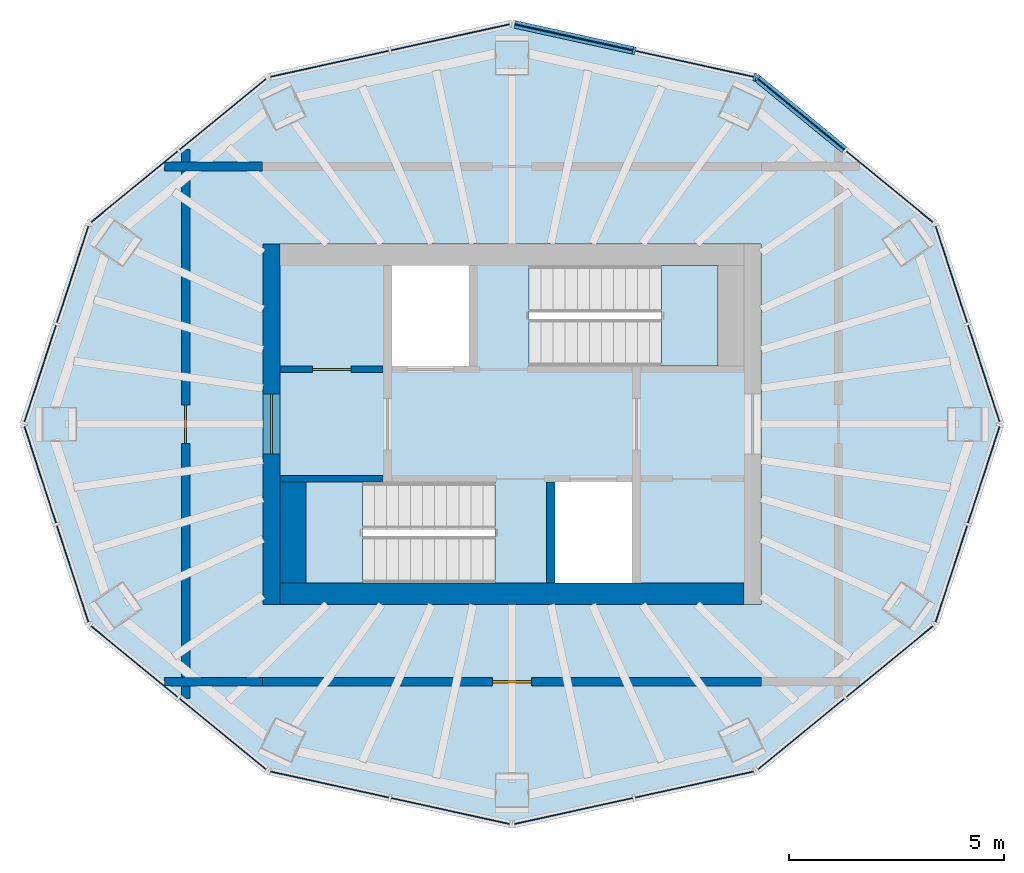
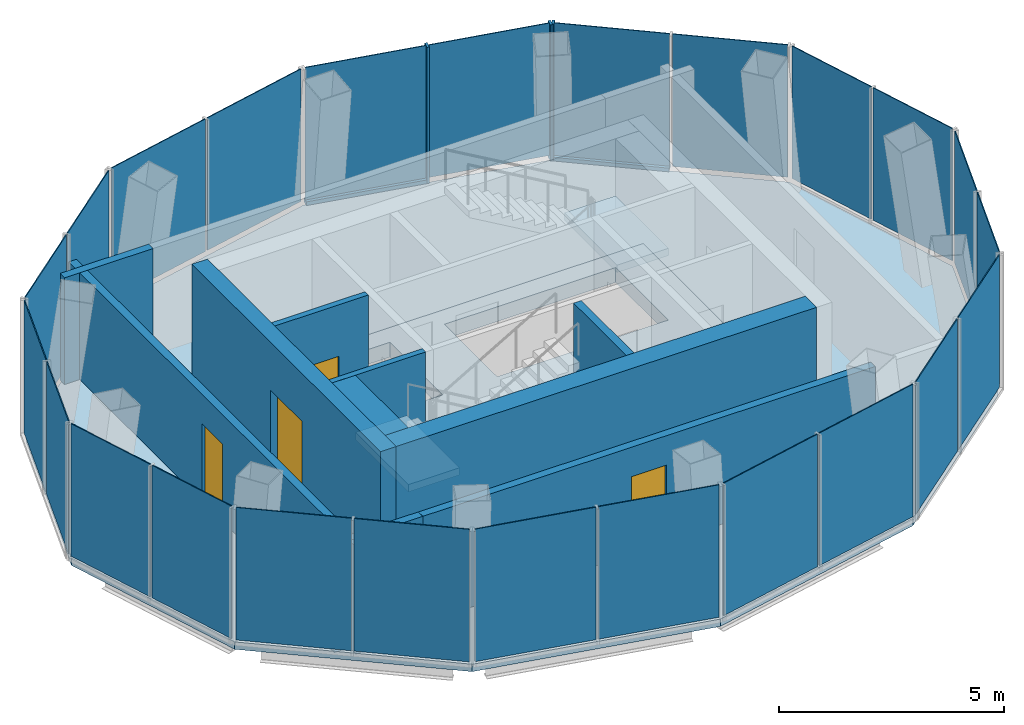
# One storey, part 3 of 5: 24 plates, 10 walls, 5 members, 4 doors, 4 slabs, 4 openings, 14 elements without a shape of their own.
"""IFC4 building model written with IfcOpenShell, lengths in metres."""

from ifc_helpers import new_model, si_unit, direction, frame, frame_2d, origin, origin_2d, place, context, subcontext, project, spatial, polyline, rectangle, outline, extrude, material, layer, layer_set, material_profile, profile_set, type_object, element, fill, aggregate, save


model = new_model("IFC4")

# Units and contexts
model_context = context("Model", 3, precision=1e-05, world=origin(), true_north=direction((0.0, 1.0)))
body_context = subcontext(model_context, "Body", "Model", "MODEL_VIEW")
ifc_project = project(units=[si_unit("LENGTHUNIT", "METRE"), si_unit("AREAUNIT", "SQUARE_METRE"), si_unit("VOLUMEUNIT", "CUBIC_METRE"), si_unit("PLANEANGLEUNIT", "RADIAN"), si_unit("MASSUNIT", "GRAM", prefix="KILO")], contexts=[model_context])

# Site, building, storey
site_placement = place(None, origin())
site = spatial("IfcSite", under=ifc_project, at=site_placement, CompositionType="ELEMENT")
building_placement = place(site_placement, origin())
building = spatial("IfcBuilding", under=site, at=building_placement, Name="Siaravel Broadcast Tower", CompositionType="ELEMENT")
storey_placement = place(building_placement, frame((0.0, 0.0, 284.300048828125)))
storey = spatial("IfcBuildingStorey", under=building, at=storey_placement, Name="L69", CompositionType="ELEMENT", Elevation=284.300048828125)

# Curtain wall, member
ifc_material_1 = material(Name="Aluminium 6063-T6", Category="aluminium")
ifc_layer_1 = layer(ifc_material_1, 0.179931640625)
ifc_layer_set_1 = layer_set([ifc_layer_1], Name="Aluminium 6063-T6")
curtain_wall_type = type_object("IfcCurtainWallType", Name="Crown glass facet wall", PredefinedType="NOTDEFINED", material=ifc_layer_set_1)
curtain_wall_1_placement = place(storey_placement, origin())
curtain_wall_1 = element("IfcCurtainWall", 1, at=curtain_wall_1_placement, inside=storey, type_object=curtain_wall_type, Name="L69 Crown glass facet wall 02", PredefinedType="NOTDEFINED")
ifc_material_profile_1 = material_profile(ifc_material_1, rectangle(XDim=0.179931640625, YDim=0.06005859375, at=origin_2d()))
ifc_profile_set_1 = profile_set([ifc_material_profile_1], Name="Aluminium 6063-T6")
member_type_1 = type_object("IfcMemberType", Name="CW-CR mullion", PredefinedType="MULLION", material=ifc_profile_set_1)
member_1_placement = place(storey_placement, frame((5.70556640625, 8.057861328125, 0.0), z_axis=(0.0, 0.0, 1.0), x_axis=(-0.633717624, -0.77356446, 0.0)))
member_1 = element("IfcMember", 2, at=member_1_placement, type_object=member_type_1, Name="CW-CR mullion 3", PredefinedType="MULLION", context=body_context, shape_type="SweptSolid", body=[
    extrude(rectangle(XDim=0.179931640625, YDim=0.06005859375, at=origin_2d()), origin(), (0.0, 0.0, 1.0), 3.699951171875),
])

# Curtain wall, members
curtain_wall_2_placement = place(storey_placement, origin())
curtain_wall_2 = element("IfcCurtainWall", 3, at=curtain_wall_2_placement, inside=storey, type_object=curtain_wall_type, Name="L69 Crown glass facet wall 03", PredefinedType="NOTDEFINED")
member_2_placement = place(storey_placement, frame((5.653076171875, 8.083251953125, 0.0), z_axis=(0.0, 0.0, 1.0), x_axis=(-0.214396093, -0.976746802, 0.0)))
member_2 = element("IfcMember", 4, at=member_2_placement, type_object=member_type_1, Name="CW-CR mullion 1", PredefinedType="MULLION", context=body_context, shape_type="SweptSolid", body=[
    extrude(rectangle(XDim=0.179931640625, YDim=0.06005859375, at=origin_2d()), origin(), (0.0, 0.0, 1.0), 3.699951171875),
])
member_3_placement = place(storey_placement, frame((2.84130859375, 8.700439453125, 0.0), z_axis=(0.0, 0.0, 1.0), x_axis=(-0.214396093, -0.976746802, 0.0)))
member_3 = element("IfcMember", 5, at=member_3_placement, type_object=member_type_1, Name="CW-CR mullion 2", PredefinedType="MULLION", context=body_context, shape_type="SweptSolid", body=[
    extrude(rectangle(XDim=0.179931640625, YDim=0.06005859375, at=origin_2d()), origin(), (0.0, 0.0, 1.0), 3.699951171875),
])

# Member
ifc_material_profile_2 = material_profile(ifc_material_1, rectangle(XDim=0.179931640625, YDim=0.10009765625, at=origin_2d()))
ifc_profile_set_2 = profile_set([ifc_material_profile_2], Name="Aluminium 6063-T6")
member_type_2 = type_object("IfcMemberType", Name="CW-CR transom", PredefinedType="USERDEFINED", material=ifc_profile_set_2)
member_4_placement = place(storey_placement, frame((7.7412109375, 6.390380859375, 0.050048828125), z_axis=(-0.773601757, 0.633672093, 0.0), x_axis=(-0.633672093, -0.773601757, 0.0)))
member_4 = element("IfcMember", 6, at=member_4_placement, type_object=member_type_2, Name="CW-CR transom 2", ObjectType="TRANSOM", PredefinedType="USERDEFINED", context=body_context, shape_type="SweptSolid", body=[
    extrude(rectangle(XDim=0.179931640625, YDim=0.10009765625, at=origin_2d()), origin(), (0.0, 0.0, 1.0), 2.601318359375),
])

member_5_placement = place(storey_placement, frame((2.81201171875, 8.706787109375, 0.050048828125), z_axis=(-0.97673815, 0.214435508, 0.0), x_axis=(-0.214435508, -0.97673815, 0.0)))
member_5 = element("IfcMember", 7, at=member_5_placement, type_object=member_type_2, Name="CW-CR transom 2", ObjectType="TRANSOM", PredefinedType="USERDEFINED", context=body_context, shape_type="SweptSolid", body=[
    extrude(rectangle(XDim=0.179931640625, YDim=0.10009765625, at=origin_2d()), origin(), (0.0, 0.0, 1.0), 2.819091796875),
])

# Curtain wall, plates
curtain_wall_3_placement = place(storey_placement, origin())
curtain_wall_3 = element("IfcCurtainWall", 8, at=curtain_wall_3_placement, inside=storey, type_object=curtain_wall_type, Name="L69 Crown glass facet wall 01", PredefinedType="NOTDEFINED")
ifc_material_2 = material(Name="Low-iron laminated glass", Category="glass")
ifc_layer_2 = layer(ifc_material_2, 0.02392578125)
ifc_layer_set_2 = layer_set([ifc_layer_2], Name="Low-iron laminated glass")
plate_type = type_object("IfcPlateType", Name="CW-CR glass panel", PredefinedType="CURTAIN_PANEL", material=ifc_layer_set_2)
plate_1_placement = place(storey_placement, frame((10.98583984375, 1.1806640625, 0.099853515625), z_axis=(0.0, 0.0, 1.0), x_axis=(-0.310854701, 0.950457445, 0.0)))
plate_1 = element("IfcPlate", 9, at=plate_1_placement, type_object=plate_type, Name="CW-CR glass panel", PredefinedType="CURTAIN_PANEL", context=body_context, shape_type="SweptSolid", body=[
    extrude(rectangle(XDim=2.364501953125, YDim=0.02392578125, at=origin_2d()), origin(), (0.0, 0.0, 1.0), 3.60009765625),
])
plate_2_placement = place(storey_placement, frame((10.232421875, 3.485107421875, 0.099853515625), z_axis=(0.0, 0.0, 1.0), x_axis=(-0.310854701, 0.950457445, 0.0)))
plate_2 = element("IfcPlate", 10, at=plate_2_placement, type_object=plate_type, Name="CW-CR glass panel", PredefinedType="CURTAIN_PANEL", context=body_context, shape_type="SweptSolid", body=[
    extrude(rectangle(XDim=2.364501953125, YDim=0.02392578125, at=origin_2d()), origin(), (0.0, 0.0, 1.0), 3.60009765625),
])
aggregate(curtain_wall_3, [plate_1, plate_2])

# Plate
plate_3_placement = place(storey_placement, frame((8.793701171875, 5.528076171875, 0.099853515625), z_axis=(0.0, 0.0, 1.0), x_axis=(-0.77356446, 0.633717624, 0.0)))
plate_3 = element("IfcPlate", 11, at=plate_3_placement, type_object=plate_type, Name="CW-CR glass panel", PredefinedType="CURTAIN_PANEL", context=body_context, shape_type="SweptSolid", body=[
    extrude(rectangle(XDim=2.601318359375, YDim=0.02392578125, at=origin_2d()), origin(), (0.0, 0.0, 1.0), 3.60009765625),
])

plate_4_placement = place(storey_placement, frame((6.73486328125, 7.214599609375, 0.099853515625), z_axis=(0.0, 0.0, 1.0), x_axis=(-0.77356446, 0.633717624, 0.0)))
plate_4 = element("IfcPlate", 12, at=plate_4_placement, type_object=plate_type, Name="CW-CR glass panel", PredefinedType="CURTAIN_PANEL", context=body_context, shape_type="SweptSolid", body=[
    extrude(rectangle(XDim=2.601318359375, YDim=0.02392578125, at=origin_2d()), origin(), (0.0, 0.0, 1.0), 3.60009765625),
])

aggregate(curtain_wall_1, [member_1, plate_3, member_4, plate_4])

plate_5_placement = place(storey_placement, frame((4.247314453125, 8.391845703125, 0.099853515625), z_axis=(0.0, 0.0, 1.0), x_axis=(-0.976746802, 0.214396093, 0.0)))
plate_5 = element("IfcPlate", 13, at=plate_5_placement, type_object=plate_type, Name="CW-CR glass panel", PredefinedType="CURTAIN_PANEL", context=body_context, shape_type="SweptSolid", body=[
    extrude(rectangle(XDim=2.81884765625, YDim=0.02392578125, at=origin_2d()), origin(), (0.0, 0.0, 1.0), 3.60009765625),
])

plate_6_placement = place(storey_placement, frame((1.435302734375, 9.009033203125, 0.099853515625), z_axis=(0.0, 0.0, 1.0), x_axis=(-0.976746802, 0.214396093, 0.0)))
plate_6 = element("IfcPlate", 14, at=plate_6_placement, type_object=plate_type, Name="CW-CR glass panel", PredefinedType="CURTAIN_PANEL", context=body_context, shape_type="SweptSolid", body=[
    extrude(rectangle(XDim=2.81884765625, YDim=0.02392578125, at=origin_2d()), origin(), (0.0, 0.0, 1.0), 3.60009765625),
])

aggregate(curtain_wall_2, [member_2, member_3, plate_5, member_5, plate_6])

# Curtain wall, plates
curtain_wall_4_placement = place(storey_placement, origin())
curtain_wall_4 = element("IfcCurtainWall", 15, at=curtain_wall_4_placement, inside=storey, type_object=curtain_wall_type, Name="L69 Crown glass facet wall 04", PredefinedType="NOTDEFINED")
plate_7_placement = place(storey_placement, frame((-1.435302734375, 9.009033203125, 0.099853515625), z_axis=(0.0, 0.0, 1.0), x_axis=(-0.976746802, -0.214396093, 0.0)))
plate_7 = element("IfcPlate", 16, at=plate_7_placement, type_object=plate_type, Name="CW-CR glass panel", PredefinedType="CURTAIN_PANEL", context=body_context, shape_type="SweptSolid", body=[
    extrude(rectangle(XDim=2.81884765625, YDim=0.02392578125, at=origin_2d()), origin(), (0.0, 0.0, 1.0), 3.60009765625),
])
plate_8_placement = place(storey_placement, frame((-4.247314453125, 8.391845703125, 0.099853515625), z_axis=(0.0, 0.0, 1.0), x_axis=(-0.976746802, -0.214396093, 0.0)))
plate_8 = element("IfcPlate", 17, at=plate_8_placement, type_object=plate_type, Name="CW-CR glass panel", PredefinedType="CURTAIN_PANEL", context=body_context, shape_type="SweptSolid", body=[
    extrude(rectangle(XDim=2.81884765625, YDim=0.02392578125, at=origin_2d()), origin(), (0.0, 0.0, 1.0), 3.60009765625),
])
aggregate(curtain_wall_4, [plate_7, plate_8])

curtain_wall_5_placement = place(storey_placement, origin())
curtain_wall_5 = element("IfcCurtainWall", 18, at=curtain_wall_5_placement, inside=storey, type_object=curtain_wall_type, Name="L69 Crown glass facet wall 05", PredefinedType="NOTDEFINED")
plate_9_placement = place(storey_placement, frame((-6.73486328125, 7.214599609375, 0.099853515625), z_axis=(0.0, 0.0, 1.0), x_axis=(-0.77356446, -0.633717624, 0.0)))
plate_9 = element("IfcPlate", 19, at=plate_9_placement, type_object=plate_type, Name="CW-CR glass panel", PredefinedType="CURTAIN_PANEL", context=body_context, shape_type="SweptSolid", body=[
    extrude(rectangle(XDim=2.601318359375, YDim=0.02392578125, at=origin_2d()), origin(), (0.0, 0.0, 1.0), 3.60009765625),
])
plate_10_placement = place(storey_placement, frame((-8.793701171875, 5.528076171875, 0.099853515625), z_axis=(0.0, 0.0, 1.0), x_axis=(-0.77356446, -0.633717624, 0.0)))
plate_10 = element("IfcPlate", 20, at=plate_10_placement, type_object=plate_type, Name="CW-CR glass panel", PredefinedType="CURTAIN_PANEL", context=body_context, shape_type="SweptSolid", body=[
    extrude(rectangle(XDim=2.601318359375, YDim=0.02392578125, at=origin_2d()), origin(), (0.0, 0.0, 1.0), 3.60009765625),
])
aggregate(curtain_wall_5, [plate_9, plate_10])

curtain_wall_6_placement = place(storey_placement, origin())
curtain_wall_6 = element("IfcCurtainWall", 21, at=curtain_wall_6_placement, inside=storey, type_object=curtain_wall_type, Name="L69 Crown glass facet wall 06", PredefinedType="NOTDEFINED")
plate_11_placement = place(storey_placement, frame((-10.232421875, 3.485107421875, 0.099853515625), z_axis=(0.0, 0.0, 1.0), x_axis=(-0.310854701, -0.950457445, 0.0)))
plate_11 = element("IfcPlate", 22, at=plate_11_placement, type_object=plate_type, Name="CW-CR glass panel", PredefinedType="CURTAIN_PANEL", context=body_context, shape_type="SweptSolid", body=[
    extrude(rectangle(XDim=2.364501953125, YDim=0.02392578125, at=origin_2d()), origin(), (0.0, 0.0, 1.0), 3.60009765625),
])
plate_12_placement = place(storey_placement, frame((-10.98583984375, 1.1806640625, 0.099853515625), z_axis=(0.0, 0.0, 1.0), x_axis=(-0.310854701, -0.950457445, 0.0)))
plate_12 = element("IfcPlate", 23, at=plate_12_placement, type_object=plate_type, Name="CW-CR glass panel", PredefinedType="CURTAIN_PANEL", context=body_context, shape_type="SweptSolid", body=[
    extrude(rectangle(XDim=2.364501953125, YDim=0.02392578125, at=origin_2d()), origin(), (0.0, 0.0, 1.0), 3.60009765625),
])
aggregate(curtain_wall_6, [plate_11, plate_12])

curtain_wall_7_placement = place(storey_placement, origin())
curtain_wall_7 = element("IfcCurtainWall", 24, at=curtain_wall_7_placement, inside=storey, type_object=curtain_wall_type, Name="L69 Crown glass facet wall 07", PredefinedType="NOTDEFINED")
plate_13_placement = place(storey_placement, frame((-10.98583984375, -1.1806640625, 0.099853515625), z_axis=(0.0, 0.0, 1.0), x_axis=(0.310854701, -0.950457445, 0.0)))
plate_13 = element("IfcPlate", 25, at=plate_13_placement, type_object=plate_type, Name="CW-CR glass panel", PredefinedType="CURTAIN_PANEL", context=body_context, shape_type="SweptSolid", body=[
    extrude(rectangle(XDim=2.364501953125, YDim=0.02392578125, at=origin_2d()), origin(), (0.0, 0.0, 1.0), 3.60009765625),
])
plate_14_placement = place(storey_placement, frame((-10.232421875, -3.485107421875, 0.099853515625), z_axis=(0.0, 0.0, 1.0), x_axis=(0.310854701, -0.950457445, 0.0)))
plate_14 = element("IfcPlate", 26, at=plate_14_placement, type_object=plate_type, Name="CW-CR glass panel", PredefinedType="CURTAIN_PANEL", context=body_context, shape_type="SweptSolid", body=[
    extrude(rectangle(XDim=2.364501953125, YDim=0.02392578125, at=origin_2d()), origin(), (0.0, 0.0, 1.0), 3.60009765625),
])
aggregate(curtain_wall_7, [plate_13, plate_14])

curtain_wall_8_placement = place(storey_placement, origin())
curtain_wall_8 = element("IfcCurtainWall", 27, at=curtain_wall_8_placement, inside=storey, type_object=curtain_wall_type, Name="L69 Crown glass facet wall 08", PredefinedType="NOTDEFINED")
plate_15_placement = place(storey_placement, frame((-8.793701171875, -5.528076171875, 0.099853515625), z_axis=(0.0, 0.0, 1.0), x_axis=(0.77356446, -0.633717624, 0.0)))
plate_15 = element("IfcPlate", 28, at=plate_15_placement, type_object=plate_type, Name="CW-CR glass panel", PredefinedType="CURTAIN_PANEL", context=body_context, shape_type="SweptSolid", body=[
    extrude(rectangle(XDim=2.601318359375, YDim=0.02392578125, at=origin_2d()), origin(), (0.0, 0.0, 1.0), 3.60009765625),
])
plate_16_placement = place(storey_placement, frame((-6.73486328125, -7.214599609375, 0.099853515625), z_axis=(0.0, 0.0, 1.0), x_axis=(0.77356446, -0.633717624, 0.0)))
plate_16 = element("IfcPlate", 29, at=plate_16_placement, type_object=plate_type, Name="CW-CR glass panel", PredefinedType="CURTAIN_PANEL", context=body_context, shape_type="SweptSolid", body=[
    extrude(rectangle(XDim=2.601318359375, YDim=0.02392578125, at=origin_2d()), origin(), (0.0, 0.0, 1.0), 3.60009765625),
])
aggregate(curtain_wall_8, [plate_15, plate_16])

curtain_wall_9_placement = place(storey_placement, origin())
curtain_wall_9 = element("IfcCurtainWall", 30, at=curtain_wall_9_placement, inside=storey, type_object=curtain_wall_type, Name="L69 Crown glass facet wall 09", PredefinedType="NOTDEFINED")
plate_17_placement = place(storey_placement, frame((-4.247314453125, -8.391845703125, 0.099853515625), z_axis=(0.0, 0.0, 1.0), x_axis=(0.976746802, -0.214396093, 0.0)))
plate_17 = element("IfcPlate", 31, at=plate_17_placement, type_object=plate_type, Name="CW-CR glass panel", PredefinedType="CURTAIN_PANEL", context=body_context, shape_type="SweptSolid", body=[
    extrude(rectangle(XDim=2.81884765625, YDim=0.02392578125, at=origin_2d()), origin(), (0.0, 0.0, 1.0), 3.60009765625),
])
plate_18_placement = place(storey_placement, frame((-1.435302734375, -9.009033203125, 0.099853515625), z_axis=(0.0, 0.0, 1.0), x_axis=(0.976746802, -0.214396093, 0.0)))
plate_18 = element("IfcPlate", 32, at=plate_18_placement, type_object=plate_type, Name="CW-CR glass panel", PredefinedType="CURTAIN_PANEL", context=body_context, shape_type="SweptSolid", body=[
    extrude(rectangle(XDim=2.81884765625, YDim=0.02392578125, at=origin_2d()), origin(), (0.0, 0.0, 1.0), 3.60009765625),
])
aggregate(curtain_wall_9, [plate_17, plate_18])

curtain_wall_10_placement = place(storey_placement, origin())
curtain_wall_10 = element("IfcCurtainWall", 33, at=curtain_wall_10_placement, inside=storey, type_object=curtain_wall_type, Name="L69 Crown glass facet wall 10", PredefinedType="NOTDEFINED")
plate_19_placement = place(storey_placement, frame((1.435302734375, -9.009033203125, 0.099853515625), z_axis=(0.0, 0.0, 1.0), x_axis=(0.976746802, 0.214396093, 0.0)))
plate_19 = element("IfcPlate", 34, at=plate_19_placement, type_object=plate_type, Name="CW-CR glass panel", PredefinedType="CURTAIN_PANEL", context=body_context, shape_type="SweptSolid", body=[
    extrude(rectangle(XDim=2.81884765625, YDim=0.02392578125, at=origin_2d()), origin(), (0.0, 0.0, 1.0), 3.60009765625),
])
plate_20_placement = place(storey_placement, frame((4.247314453125, -8.391845703125, 0.099853515625), z_axis=(0.0, 0.0, 1.0), x_axis=(0.976746802, 0.214396093, 0.0)))
plate_20 = element("IfcPlate", 35, at=plate_20_placement, type_object=plate_type, Name="CW-CR glass panel", PredefinedType="CURTAIN_PANEL", context=body_context, shape_type="SweptSolid", body=[
    extrude(rectangle(XDim=2.81884765625, YDim=0.02392578125, at=origin_2d()), origin(), (0.0, 0.0, 1.0), 3.60009765625),
])
aggregate(curtain_wall_10, [plate_19, plate_20])

curtain_wall_11_placement = place(storey_placement, origin())
curtain_wall_11 = element("IfcCurtainWall", 36, at=curtain_wall_11_placement, inside=storey, type_object=curtain_wall_type, Name="L69 Crown glass facet wall 11", PredefinedType="NOTDEFINED")
plate_21_placement = place(storey_placement, frame((6.73486328125, -7.214599609375, 0.099853515625), z_axis=(0.0, 0.0, 1.0), x_axis=(0.77356446, 0.633717624, 0.0)))
plate_21 = element("IfcPlate", 37, at=plate_21_placement, type_object=plate_type, Name="CW-CR glass panel", PredefinedType="CURTAIN_PANEL", context=body_context, shape_type="SweptSolid", body=[
    extrude(rectangle(XDim=2.601318359375, YDim=0.02392578125, at=origin_2d()), origin(), (0.0, 0.0, 1.0), 3.60009765625),
])
plate_22_placement = place(storey_placement, frame((8.793701171875, -5.528076171875, 0.099853515625), z_axis=(0.0, 0.0, 1.0), x_axis=(0.77356446, 0.633717624, 0.0)))
plate_22 = element("IfcPlate", 38, at=plate_22_placement, type_object=plate_type, Name="CW-CR glass panel", PredefinedType="CURTAIN_PANEL", context=body_context, shape_type="SweptSolid", body=[
    extrude(rectangle(XDim=2.601318359375, YDim=0.02392578125, at=origin_2d()), origin(), (0.0, 0.0, 1.0), 3.60009765625),
])
aggregate(curtain_wall_11, [plate_21, plate_22])

curtain_wall_12_placement = place(storey_placement, origin())
curtain_wall_12 = element("IfcCurtainWall", 39, at=curtain_wall_12_placement, inside=storey, type_object=curtain_wall_type, Name="L69 Crown glass facet wall 12", PredefinedType="NOTDEFINED")
plate_23_placement = place(storey_placement, frame((10.232421875, -3.485107421875, 0.099853515625), z_axis=(0.0, 0.0, 1.0), x_axis=(0.310854701, 0.950457445, 0.0)))
plate_23 = element("IfcPlate", 40, at=plate_23_placement, type_object=plate_type, Name="CW-CR glass panel", PredefinedType="CURTAIN_PANEL", context=body_context, shape_type="SweptSolid", body=[
    extrude(rectangle(XDim=2.364501953125, YDim=0.02392578125, at=origin_2d()), origin(), (0.0, 0.0, 1.0), 3.60009765625),
])
plate_24_placement = place(storey_placement, frame((10.98583984375, -1.1806640625, 0.099853515625), z_axis=(0.0, 0.0, 1.0), x_axis=(0.310854701, 0.950457445, 0.0)))
plate_24 = element("IfcPlate", 41, at=plate_24_placement, type_object=plate_type, Name="CW-CR glass panel", PredefinedType="CURTAIN_PANEL", context=body_context, shape_type="SweptSolid", body=[
    extrude(rectangle(XDim=2.364501953125, YDim=0.02392578125, at=origin_2d()), origin(), (0.0, 0.0, 1.0), 3.60009765625),
])
aggregate(curtain_wall_12, [plate_23, plate_24])

# Slabs
ifc_material_3 = material(Name="Concrete C40/50", Category="concrete")
ifc_layer_3 = layer(ifc_material_3, 0.39990234375)
ifc_layer_set_3 = layer_set([ifc_layer_3], Name="Concrete C40/50")
slab_type_1 = type_object("IfcSlabType", Name="Core floor slab 400", PredefinedType="FLOOR", material=ifc_layer_set_3)
slab_1_placement = place(storey_placement, frame((0.0, 0.0, -0.400146484375)))
element("IfcSlab", 42, at=slab_1_placement, inside=storey, type_object=slab_type_1, Name="L69 core floor", PredefinedType="FLOOR", context=body_context, shape_type="SweptSolid", body=[
    extrude(outline(polyline([(-5.800048828125, -4.199951171875), (-5.800048828125, 4.199951171875), (5.800048828125, 4.199951171875), (5.800048828125, -4.199951171875), (-5.800048828125, -4.199951171875)]), holes=[polyline([(0.400390625, 3.699462890625), (0.400390625, 1.3505859375), (4.799560546875, 1.3505859375), (4.799560546875, 3.699462890625), (0.400390625, 3.699462890625)]), polyline([(1.0, -3.699951171875), (2.800048828125, -3.699951171875), (2.800048828125, -1.35009765625), (1.0, -1.35009765625), (1.0, -3.699951171875)]), polyline([(-0.400390625, -3.699462890625), (-0.400390625, -1.3505859375), (-4.799560546875, -1.3505859375), (-4.799560546875, -3.699462890625), (-0.400390625, -3.699462890625)]), polyline([(-2.800048828125, 1.35009765625), (-1.0, 1.35009765625), (-1.0, 3.699951171875), (-2.800048828125, 3.699951171875), (-2.800048828125, 1.35009765625)])]), origin(), (0.0, 0.0, 1.0), 0.400146484375),
])
ifc_layer_4 = layer(ifc_material_3, 0.199951171875)
ifc_layer_set_4 = layer_set([ifc_layer_4], Name="Concrete C40/50")
slab_type_2 = type_object("IfcSlabType", Name="SLB-FLOOR-200", PredefinedType="FLOOR", material=ifc_layer_set_4)
slab_2_placement = place(storey_placement, frame((0.0, 0.0, -0.199951171875)))
element("IfcSlab", 43, at=slab_2_placement, inside=storey, type_object=slab_type_2, Name="Floor slab", PredefinedType="FLOOR", context=body_context, shape_type="SweptSolid", body=[
    extrude(outline(polyline([(11.322021484375, 0.0), (9.80517578125, 4.636962890625), (5.6611328125, 8.031494140625), (0.0, 9.274169921875), (-5.660888671875, 8.031494140625), (-9.80517578125, 4.636962890625), (-11.322021484375, 0.0), (-9.80517578125, -4.63720703125), (-5.6611328125, -8.031494140625), (0.0, -9.274169921875), (5.6611328125, -8.031494140625), (9.80517578125, -4.63720703125), (11.322021484375, 0.0)]), holes=[polyline([(-5.800048828125, 4.199951171875), (5.800048828125, 4.199951171875), (5.800048828125, -4.199951171875), (-5.800048828125, -4.199951171875), (-5.800048828125, 4.199951171875)])]), origin(), (0.0, 0.0, 1.0), 0.199951171875),
])

# Stair, slab
stair_type = type_object("IfcStairType", Name="Core exit stair", PredefinedType="HALF_TURN_STAIR", material=ifc_material_3)
stair_1_placement = place(storey_placement, origin())
stair_1 = element("IfcStair", 44, at=stair_1_placement, inside=storey, type_object=stair_type, Name="L69 Exit stair ST-C1", PredefinedType="HALF_TURN_STAIR")
ifc_layer_5 = layer(ifc_material_3, 0.199951171875)
ifc_layer_set_5 = layer_set([ifc_layer_5], Name="Concrete C40/50")
slab_type_3 = type_object("IfcSlabType", Name="Stair landing", PredefinedType="LANDING", material=ifc_layer_set_5)
slab_3_placement = place(storey_placement, frame((0.0, 0.0, 1.75)))
slab_3 = element("IfcSlab", 45, at=slab_3_placement, type_object=slab_type_3, Name="ST-C1 landing 1", PredefinedType="LANDING", context=body_context, shape_type="SweptSolid", body=[
    extrude(outline(polyline([(3.47998046875, 1.35009765625), (4.800048828125, 1.35009765625), (4.800048828125, 3.699951171875), (3.47998046875, 3.699951171875), (3.47998046875, 1.35009765625)])), origin(), (0.0, 0.0, 1.0), 0.199951171875),
])
aggregate(stair_1, [slab_3])

stair_2_placement = place(storey_placement, origin())
stair_2 = element("IfcStair", 46, at=stair_2_placement, inside=storey, type_object=stair_type, Name="L69 Exit stair ST-C2", PredefinedType="HALF_TURN_STAIR")
slab_4_placement = place(storey_placement, frame((0.0, 0.0, 1.75)))
slab_4 = element("IfcSlab", 47, at=slab_4_placement, type_object=slab_type_3, Name="ST-C2 landing 1", PredefinedType="LANDING", context=body_context, shape_type="SweptSolid", body=[
    extrude(outline(polyline([(-3.47998046875, -1.35009765625), (-4.800048828125, -1.35009765625), (-4.800048828125, -3.699951171875), (-3.47998046875, -3.699951171875), (-3.47998046875, -1.35009765625)])), origin(), (0.0, 0.0, 1.0), 0.199951171875),
])
aggregate(stair_2, [slab_4])

# Wall, opening, door
ifc_material_4 = material(Name="Concrete C60/75", Category="concrete")
ifc_layer_6 = layer(ifc_material_4, 0.39990234375)
ifc_layer_set_6 = layer_set([ifc_layer_6], Name="Concrete C60/75")
wall_type_1 = type_object("IfcWallType", Name="Core wall 400", PredefinedType="SHEAR", material=ifc_layer_set_6)
wall_1_placement = place(storey_placement, frame((-5.60009765625, -4.199951171875, 0.0), z_axis=(0.0, 0.0, 1.0), x_axis=(0.0, 1.0, 0.0)))
wall_1 = element("IfcWall", 48, at=wall_1_placement, inside=storey, type_object=wall_type_1, Name="L69 core wall OW", PredefinedType="SHEAR", context=body_context, shape_type="SweptSolid", body=[
    extrude(rectangle(XDim=8.39990234375, YDim=0.39990234375, at=frame_2d((4.199951171875, 0.0))), origin(), (0.0, 0.0, 1.0), 3.5),
])
opening_1_placement = place(wall_1_placement, frame((3.5, 0.0, 0.0)))
opening_1 = element("IfcOpeningElement", 49, at=opening_1_placement, cuts=wall_1, Name="Opening L69-DX-W", PredefinedType="OPENING", context=body_context, shape_type="SweptSolid", body=[
    extrude(rectangle(XDim=1.39990234375, YDim=2.199951171875, at=frame_2d((0.699951171875, 1.10009765625))), frame((0.0, 0.2099609375, 0.0), z_axis=(0.0, -1.0, 0.0), x_axis=(1.0, 0.0, 0.0)), (0.0, 0.0, 1.0), 0.419921875),
])
ifc_material_5 = material(Name="Steel", Category="steel")
door_type_1 = type_object("IfcDoorType", Name="Core exit door 1400", OperationType="DOUBLE_DOOR_SINGLE_SWING", PredefinedType="DOOR", material=ifc_material_5)
door_1_placement = place(opening_1_placement, origin())
door_1 = element("IfcDoor", 50, at=door_1_placement, inside=storey, type_object=door_type_1, Name="L69 door DX-W", OperationType="DOUBLE_DOOR_SINGLE_SWING", OverallHeight=2.199951171875, OverallWidth=1.39990234375, PredefinedType="DOOR", context=body_context, shape_type="SweptSolid", body=[
    extrude(rectangle(XDim=1.39990234375, YDim=2.199951171875, at=frame_2d((0.699951171875, 1.10009765625))), frame((0.0, 0.02490234375, 0.0), z_axis=(0.0, -1.0, 0.0), x_axis=(1.0, 0.0, 0.0)), (0.0, 0.0, 1.0), 0.050048828125),
])
fill(opening_1, door_1)

# Wall
ifc_layer_7 = layer(ifc_material_4, 0.5)
ifc_layer_set_7 = layer_set([ifc_layer_7], Name="Concrete C60/75")
wall_type_2 = type_object("IfcWallType", Name="Core wall 500", PredefinedType="SHEAR", material=ifc_layer_set_7)
wall_2_placement = place(storey_placement, frame((-5.39990234375, -3.949951171875, 0.0), z_axis=(0.0, 0.0, 1.0), x_axis=(1.0, 0.0, 0.0)))
element("IfcWall", 51, at=wall_2_placement, inside=storey, type_object=wall_type_2, Name="L69 core wall OS", PredefinedType="SHEAR", context=body_context, shape_type="SweptSolid", body=[
    extrude(rectangle(XDim=10.7998046875, YDim=0.5, at=frame_2d((5.39990234375, 0.0))), origin(), (0.0, 0.0, 1.0), 3.5),
])

# Wall, opening, door
ifc_material_6 = material(Name="Gypsum board partition", Category="gypsum")
ifc_layer_8 = layer(ifc_material_6, 0.14990234375)
ifc_layer_set_8 = layer_set([ifc_layer_8], Name="Gypsum board partition")
wall_type_3 = type_object("IfcWallType", Name="Corridor wall 150", PredefinedType="PARTITIONING", material=ifc_layer_set_8)
wall_3_placement = place(storey_placement, frame((-5.39990234375, 1.27490234375, 0.0), z_axis=(0.0, 0.0, 1.0), x_axis=(1.0, 0.0, 0.0)))
wall_3 = element("IfcWall", 52, at=wall_3_placement, inside=storey, type_object=wall_type_3, Name="L69 core partition CNW", PredefinedType="PARTITIONING", context=body_context, shape_type="SweptSolid", body=[
    extrude(rectangle(XDim=2.39990234375, YDim=0.14990234375, at=frame_2d((1.199951171875, 0.0))), origin(), (0.0, 0.0, 1.0), 3.5),
])
opening_2_placement = place(wall_3_placement, frame((0.75, 0.0, 0.0)))
opening_2 = element("IfcOpeningElement", 53, at=opening_2_placement, cuts=wall_3, Name="Opening L69-DCNW", PredefinedType="OPENING", context=body_context, shape_type="SweptSolid", body=[
    extrude(rectangle(XDim=0.89990234375, YDim=2.10009765625, at=frame_2d((0.449951171875, 1.050048828125))), frame((0.0, 0.0849609375, 0.0), z_axis=(0.0, -1.0, 0.0), x_axis=(1.0, 0.0, 0.0)), (0.0, 0.0, 1.0), 0.169921875),
])
ifc_material_7 = material(Name="Timber veneer", Category="wood")
door_type_2 = type_object("IfcDoorType", Name="Core room door 900", OperationType="SINGLE_SWING_LEFT", PredefinedType="DOOR", material=ifc_material_7)
door_2_placement = place(opening_2_placement, origin())
door_2 = element("IfcDoor", 54, at=door_2_placement, inside=storey, type_object=door_type_2, Name="L69 door DCNW", OperationType="SINGLE_SWING_LEFT", OverallHeight=2.10009765625, OverallWidth=0.89990234375, PredefinedType="DOOR", context=body_context, shape_type="SweptSolid", body=[
    extrude(rectangle(XDim=0.89990234375, YDim=2.10009765625, at=frame_2d((0.449951171875, 1.050048828125))), frame((0.0, 0.02490234375, 0.0), z_axis=(0.0, -1.0, 0.0), x_axis=(1.0, 0.0, 0.0)), (0.0, 0.0, 1.0), 0.050048828125),
])
fill(opening_2, door_2)

ifc_material_8 = material(Name="Concrete blockwork", Category="masonry")
ifc_layer_9 = layer(ifc_material_8, 0.199951171875)
ifc_layer_set_9 = layer_set([ifc_layer_9], Name="Concrete blockwork")
wall_type_4 = type_object("IfcWallType", Name="Plant room wall 200", PredefinedType="PARTITIONING", material=ifc_layer_set_9)
wall_4_placement = place(storey_placement, frame((-7.60009765625, 6.393310546875, 0.0), z_axis=(0.0, 0.0, 1.0), x_axis=(0.0, -1.0, 0.0)))
wall_4 = element("IfcWall", 55, at=wall_4_placement, inside=storey, type_object=wall_type_4, Name="L69 partition 1", PredefinedType="PARTITIONING", context=body_context, shape_type="SweptSolid", body=[
    extrude(rectangle(XDim=12.78662109375, YDim=0.199951171875, at=frame_2d((6.393310546875, 0.0))), origin(), (0.0, 0.0, 1.0), 2.89990234375),
])
opening_3_placement = place(wall_4_placement, frame((5.943359375, 0.0, 0.0)))
opening_3 = element("IfcOpeningElement", 56, at=opening_3_placement, cuts=wall_4, Name="Opening L69-001", PredefinedType="OPENING", context=body_context, shape_type="SweptSolid", body=[
    extrude(rectangle(XDim=0.89990234375, YDim=2.10009765625, at=frame_2d((0.449951171875, 1.050048828125))), frame((0.0, 0.10986328125, 0.0), z_axis=(0.0, -1.0, 0.0), x_axis=(1.0, 0.0, 0.0)), (0.0, 0.0, 1.0), 0.219970703125),
])
door_type_3 = type_object("IfcDoorType", Name="Plant room door 900", OperationType="SINGLE_SWING_LEFT", PredefinedType="DOOR", material=ifc_material_5)
door_3_placement = place(opening_3_placement, origin())
door_3 = element("IfcDoor", 57, at=door_3_placement, inside=storey, type_object=door_type_3, Name="L69 door to UPS room", OperationType="SINGLE_SWING_LEFT", OverallHeight=2.10009765625, OverallWidth=0.89990234375, PredefinedType="DOOR", context=body_context, shape_type="SweptSolid", body=[
    extrude(rectangle(XDim=0.89990234375, YDim=2.10009765625, at=frame_2d((0.449951171875, 1.050048828125))), frame((0.0, 0.02490234375, 0.0), z_axis=(0.0, -1.0, 0.0), x_axis=(1.0, 0.0, 0.0)), (0.0, 0.0, 1.0), 0.050048828125),
])
fill(opening_3, door_3)

wall_5_placement = place(storey_placement, frame((-5.81201171875, -6.0, 0.0), z_axis=(0.0, 0.0, 1.0), x_axis=(1.0, 0.0, 0.0)))
wall_5 = element("IfcWall", 58, at=wall_5_placement, inside=storey, type_object=wall_type_4, Name="L69 partition 3", PredefinedType="PARTITIONING", context=body_context, shape_type="SweptSolid", body=[
    extrude(rectangle(XDim=11.6240234375, YDim=0.199951171875, at=frame_2d((5.81201171875, 0.0))), origin(), (0.0, 0.0, 1.0), 2.89990234375),
])
opening_4_placement = place(wall_5_placement, frame((5.362060546875, 0.0, 0.0)))
opening_4 = element("IfcOpeningElement", 59, at=opening_4_placement, cuts=wall_5, Name="Opening L69-004", PredefinedType="OPENING", context=body_context, shape_type="SweptSolid", body=[
    extrude(rectangle(XDim=0.89990234375, YDim=2.10009765625, at=frame_2d((0.449951171875, 1.050048828125))), frame((0.0, 0.10986328125, 0.0), z_axis=(0.0, -1.0, 0.0), x_axis=(1.0, 0.0, 0.0)), (0.0, 0.0, 1.0), 0.219970703125),
])
door_4_placement = place(opening_4_placement, origin())
door_4 = element("IfcDoor", 60, at=door_4_placement, inside=storey, type_object=door_type_3, Name="L69 door to Smoke extract fan room", OperationType="SINGLE_SWING_RIGHT", OverallHeight=2.10009765625, OverallWidth=0.89990234375, PredefinedType="DOOR", context=body_context, shape_type="SweptSolid", body=[
    extrude(rectangle(XDim=0.89990234375, YDim=2.10009765625, at=frame_2d((0.449951171875, 1.050048828125))), frame((0.0, 0.02490234375, 0.0), z_axis=(0.0, -1.0, 0.0), x_axis=(1.0, 0.0, 0.0)), (0.0, 0.0, 1.0), 0.050048828125),
])
fill(opening_4, door_4)

# Walls
for number, where, z_axis, x_axis, name in (
    (61, (-8.09130859375, -6.0, 0.0), (0.0, 0.0, 1.0), (1.0, 0.0, 0.0), "L69 partition 5"),
    (62, (-5.81298828125, 6.0, 0.0), (0.0, 0.0, 1.0), (-1.0, 0.0, 0.0), "L69 partition 6"),
):
    element("IfcWall", number, at=place(storey_placement, frame(where, z_axis=z_axis, x_axis=x_axis)), inside=storey, type_object=wall_type_4, Name=name, PredefinedType="PARTITIONING", context=body_context, shape_type="SweptSolid", body=[
        extrude(rectangle(XDim=2.2783203125, YDim=0.199951171875, at=frame_2d((1.13916015625, 0.0))), origin(), (0.0, 0.0, 1.0), 2.89990234375),
    ])
ifc_layer_10 = layer(ifc_material_4, 0.14990234375)
ifc_layer_set_10 = layer_set([ifc_layer_10], Name="Concrete C60/75")
wall_type_5 = type_object("IfcWallType", Name="Shaft wall 150", PredefinedType="SHEAR", material=ifc_layer_set_10)
wall_6_placement = place(storey_placement, frame((-5.39990234375, -1.27490234375, 0.0), z_axis=(0.0, 0.0, 1.0), x_axis=(1.0, 0.0, 0.0)))
element("IfcWall", 63, at=wall_6_placement, inside=storey, type_object=wall_type_5, Name="L69 core wall CSW", PredefinedType="SHEAR", context=body_context, shape_type="SweptSolid", body=[
    extrude(rectangle(XDim=2.39990234375, YDim=0.14990234375, at=frame_2d((1.199951171875, 0.0))), origin(), (0.0, 0.0, 1.0), 3.5),
])
ifc_layer_11 = layer(ifc_material_4, 0.199951171875)
ifc_layer_set_11 = layer_set([ifc_layer_11], Name="Concrete C60/75")
wall_type_6 = type_object("IfcWallType", Name="Shaft wall 200", PredefinedType="SHEAR", material=ifc_layer_set_11)
wall_7_placement = place(storey_placement, frame((0.89990234375, -3.699951171875, 0.0), z_axis=(0.0, 0.0, 1.0), x_axis=(0.0, 1.0, 0.0)))
element("IfcWall", 64, at=wall_7_placement, inside=storey, type_object=wall_type_6, Name="L69 core wall FF2W", PredefinedType="SHEAR", context=body_context, shape_type="SweptSolid", body=[
    extrude(rectangle(XDim=2.349853515625, YDim=0.199951171875, at=frame_2d((1.1748046875, 0.0))), origin(), (0.0, 0.0, 1.0), 3.5),
])
ifc_layer_12 = layer(ifc_material_4, 0.60009765625)
ifc_layer_set_12 = layer_set([ifc_layer_12], Name="Concrete C60/75")
wall_type_7 = type_object("IfcWallType", Name="Shaft wall 600", PredefinedType="SHEAR", material=ifc_layer_set_12)
wall_8_placement = place(storey_placement, frame((-5.10009765625, -3.699951171875, 0.0), z_axis=(0.0, 0.0, 1.0), x_axis=(0.0, 1.0, 0.0)))
element("IfcWall", 65, at=wall_8_placement, inside=storey, type_object=wall_type_7, Name="L69 core wall STCW", PredefinedType="SHEAR", context=body_context, shape_type="SweptSolid", body=[
    extrude(rectangle(XDim=2.349853515625, YDim=0.60009765625, at=frame_2d((1.1748046875, 0.0))), origin(), (0.0, 0.0, 1.0), 3.5),
])

save(model, "model.ifc")
